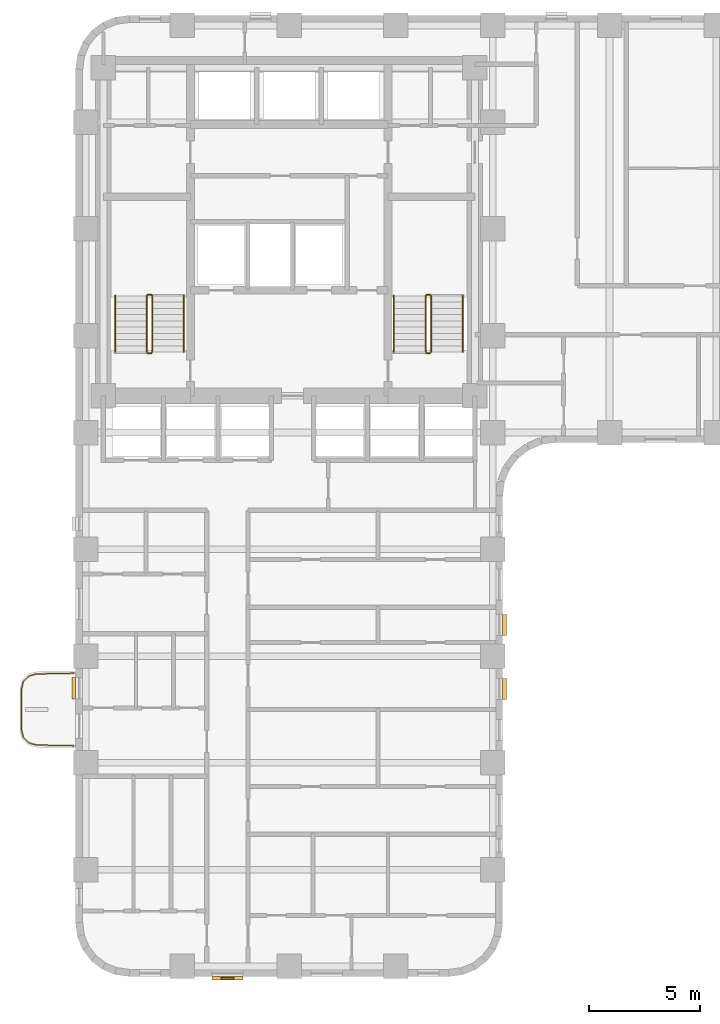
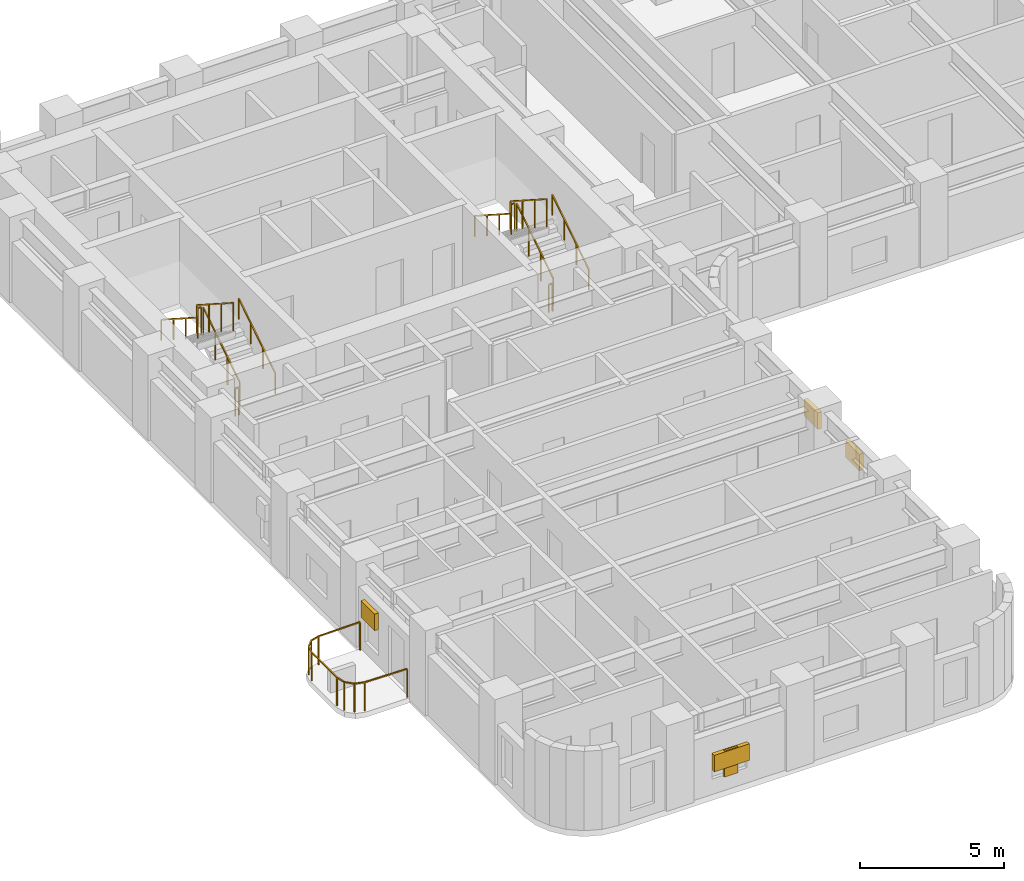
# One storey, part 9 of 12: 13 railings, 5 shading devices.
"""IFC4 building model written with IfcOpenShell, lengths in metres."""

from ifc_helpers import new_model, si_unit, direction, frame, origin, origin_2d, place, context, subcontext, project, spatial, rectangle, extrude, material, type_object, element, save


model = new_model("IFC4")

# Units and contexts
model_context = context("Model", 3, precision=1e-05, world=origin(), true_north=direction((0.0, 1.0)))
body_context = subcontext(model_context, "Body", "Model", "MODEL_VIEW")
ifc_project = project(units=[si_unit("LENGTHUNIT", "METRE"), si_unit("AREAUNIT", "SQUARE_METRE"), si_unit("VOLUMEUNIT", "CUBIC_METRE"), si_unit("PLANEANGLEUNIT", "RADIAN"), si_unit("MASSUNIT", "GRAM", prefix="KILO")], contexts=[model_context])

# Site, building, storey
site_placement = place(None, origin())
site = spatial("IfcSite", under=ifc_project, at=site_placement, CompositionType="ELEMENT")
building_placement = place(site_placement, origin())
building = spatial("IfcBuilding", under=site, at=building_placement, Name="Orvandelia Arch Residences", CompositionType="ELEMENT")
storey_placement = place(building_placement, frame((0.0, 0.0, 43.0)))
storey = spatial("IfcBuildingStorey", under=building, at=storey_placement, Name="L10", CompositionType="ELEMENT", Elevation=43.0)

# Railings
ifc_material_1 = material(Name="Marine-Grade Stainless Steel 316", Category="steel")
railing_type_1 = type_object("IfcRailingType", Name="GRD-BAL-1200", PredefinedType="BALUSTRADE", material=ifc_material_1)
railing_1_placement = place(storey_placement, frame((4.728271484375, 18.430419921875, 0.0)))
element("IfcRailing", 1, at=railing_1_placement, inside=storey, type_object=railing_type_1, Name="Safety Balustrade Guard GRD-L10-BAL-L10-W1-1", PredefinedType="BALUSTRADE", context=body_context, shape_type="SweptSolid", body=[
    extrude(rectangle(XDim=0.048095703125, YDim=0.048095703125, at=origin_2d()), frame((0.0, 0.0, 1.19580078125), z_axis=(-0.999834751713, -0.018178813668, 0.0), x_axis=(0.018178813668, -0.999834751713, 0.0)), (0.0, 0.0, 1.0), 1.6787109375),
    extrude(rectangle(XDim=0.048095703125, YDim=0.048095703125, at=origin_2d()), frame((-1.678466796875, -0.030517578125, 1.19580078125), z_axis=(-0.96348920644, -0.267747173792, 0.0), x_axis=(0.267747173792, -0.96348920644, 0.0)), (0.0, 0.0, 1.0), 0.36572265625),
    extrude(rectangle(XDim=0.048095703125, YDim=0.048095703125, at=origin_2d()), frame((-2.03076171875, -0.12841796875, 1.19580078125), z_axis=(-0.688627404251, -0.725115368831, 0.0), x_axis=(0.725115368831, -0.688627404251, 0.0)), (0.0, 0.0, 1.0), 0.367919921875),
    extrude(rectangle(XDim=0.048095703125, YDim=0.048095703125, at=origin_2d()), frame((-2.2841796875, -0.395263671875, 1.19580078125), z_axis=(-0.220602419982, -0.975363815352, 0.0), x_axis=(0.975363815352, -0.220602419982, 0.0)), (0.0, 0.0, 1.0), 0.373046875),
    extrude(rectangle(XDim=0.048095703125, YDim=0.048095703125, at=origin_2d()), frame((-2.366455078125, -0.759033203125, 1.19580078125), z_axis=(0.0, -1.0, 0.0), x_axis=(1.0, 0.0, 0.0)), (0.0, 0.0, 1.0), 1.74267578125),
    extrude(rectangle(XDim=0.048095703125, YDim=0.048095703125, at=origin_2d()), frame((-2.366455078125, -2.501708984375, 1.19580078125), z_axis=(0.220602419982, -0.975363815352, 0.0), x_axis=(0.975363815352, 0.220602419982, 0.0)), (0.0, 0.0, 1.0), 0.373046875),
    extrude(rectangle(XDim=0.048095703125, YDim=0.048095703125, at=origin_2d()), frame((-2.2841796875, -2.865478515625, 1.19580078125), z_axis=(0.688296224633, -0.725429739642, 0.0), x_axis=(0.725429739642, 0.688296224633, 0.0)), (0.0, 0.0, 1.0), 0.3681640625),
    extrude(rectangle(XDim=0.048095703125, YDim=0.048095703125, at=origin_2d()), frame((-2.03076171875, -3.132568359375, 1.19580078125), z_axis=(0.96348920644, -0.267747173792, 0.0), x_axis=(0.267747173792, 0.96348920644, 0.0)), (0.0, 0.0, 1.0), 0.36572265625),
    extrude(rectangle(XDim=0.048095703125, YDim=0.048095703125, at=origin_2d()), frame((-1.678466796875, -3.23046875, 1.19580078125), z_axis=(0.999837384468, -0.018033430643, 0.0), x_axis=(0.018033430643, 0.999837384468, 0.0)), (0.0, 0.0, 1.0), 1.6787109375),
    extrude(rectangle(XDim=0.0419921875, YDim=0.0419921875, at=origin_2d()), origin(), (0.0, 0.0, 1.0), 1.171875),
    extrude(rectangle(XDim=0.0419921875, YDim=0.0419921875, at=origin_2d()), frame((-1.678466796875, -0.030517578125, 0.0)), (0.0, 0.0, 1.0), 1.171875),
    extrude(rectangle(XDim=0.0419921875, YDim=0.0419921875, at=origin_2d()), frame((-2.03076171875, -0.12841796875, 0.0)), (0.0, 0.0, 1.0), 1.171875),
    extrude(rectangle(XDim=0.0419921875, YDim=0.0419921875, at=origin_2d()), frame((-2.2841796875, -0.395263671875, 0.0)), (0.0, 0.0, 1.0), 1.171875),
    extrude(rectangle(XDim=0.0419921875, YDim=0.0419921875, at=origin_2d()), frame((-2.366455078125, -0.759033203125, 0.0)), (0.0, 0.0, 1.0), 1.171875),
    extrude(rectangle(XDim=0.0419921875, YDim=0.0419921875, at=origin_2d()), frame((-2.366455078125, -2.501708984375, 0.0)), (0.0, 0.0, 1.0), 1.171875),
    extrude(rectangle(XDim=0.0419921875, YDim=0.0419921875, at=origin_2d()), frame((-2.2841796875, -2.865478515625, 0.0)), (0.0, 0.0, 1.0), 1.171875),
    extrude(rectangle(XDim=0.0419921875, YDim=0.0419921875, at=origin_2d()), frame((-2.03076171875, -3.132568359375, 0.0)), (0.0, 0.0, 1.0), 1.171875),
    extrude(rectangle(XDim=0.0419921875, YDim=0.0419921875, at=origin_2d()), frame((-1.678466796875, -3.23046875, 0.0)), (0.0, 0.0, 1.0), 1.171875),
    extrude(rectangle(XDim=0.0419921875, YDim=0.0419921875, at=origin_2d()), frame((0.0, -3.2607421875, 0.0)), (0.0, 0.0, 1.0), 1.171875),
])
ifc_material_2 = material(Name="Brushed Stainless Steel 304", Category="steel")
railing_type_2 = type_object("IfcRailingType", Name="RL-STAIR-GD1120", PredefinedType="GUARDRAIL", material=ifc_material_2)
railing_2_placement = place(storey_placement, frame((8.25, 32.8701171875, 0.179931640625)))
element("IfcRailing", 2, at=railing_2_placement, inside=storey, type_object=railing_type_2, Name="L10 ST-1 stair guard 1", PredefinedType="GUARDRAIL", context=body_context, shape_type="SweptSolid", body=[
    extrude(rectangle(XDim=0.048095703125, YDim=0.048095703125, at=origin_2d()), frame((0.0, 0.0, 1.17578125), z_axis=(0.0, 0.841138753965, 0.540819375188), x_axis=(-1.0, 0.0, 0.0)), (0.0, 0.0, 1.0), 2.99560546875),
    extrude(rectangle(XDim=0.0419921875, YDim=0.0419921875, at=origin_2d()), origin(), (0.0, 0.0, 1.0), 1.15185546875),
    extrude(rectangle(XDim=0.0419921875, YDim=0.0419921875, at=origin_2d()), frame((0.0, 0.83984375, 0.5400390625)), (0.0, 0.0, 1.0), 1.15185546875),
    extrude(rectangle(XDim=0.0419921875, YDim=0.0419921875, at=origin_2d()), frame((0.0, 1.679931640625, 1.080078125)), (0.0, 0.0, 1.0), 1.15185546875),
    extrude(rectangle(XDim=0.0419921875, YDim=0.0419921875, at=origin_2d()), frame((0.0, 2.519775390625, 1.6201171875)), (0.0, 0.0, 1.0), 1.15185546875),
])
railing_3_placement = place(storey_placement, frame((8.199951171875, 35.43994140625, 1.800048828125)))
element("IfcRailing", 3, at=railing_3_placement, inside=storey, type_object=railing_type_2, Name="L10 ST-1 stair guard 2", PredefinedType="GUARDRAIL", context=body_context, shape_type="SweptSolid", body=[
    extrude(rectangle(XDim=0.048095703125, YDim=0.048095703125, at=origin_2d()), frame((0.0, 0.0, 1.17578125), z_axis=(-1.0, 0.0, 0.0), x_axis=(0.0, -1.0, 0.0)), (0.0, 0.0, 1.0), 0.14990234375),
    extrude(rectangle(XDim=0.0419921875, YDim=0.0419921875, at=origin_2d()), origin(), (0.0, 0.0, 1.0), 1.15185546875),
    extrude(rectangle(XDim=0.0419921875, YDim=0.0419921875, at=origin_2d()), frame((-0.14990234375, 0.0, 0.0)), (0.0, 0.0, 1.0), 1.15185546875),
])
railing_4_placement = place(storey_placement, frame((8.0, 35.389892578125, 1.97998046875)))
element("IfcRailing", 4, at=railing_4_placement, inside=storey, type_object=railing_type_2, Name="L10 ST-1 stair guard 3", PredefinedType="GUARDRAIL", context=body_context, shape_type="SweptSolid", body=[
    extrude(rectangle(XDim=0.048095703125, YDim=0.048095703125, at=origin_2d()), frame((0.0, 0.0, 1.17578125), z_axis=(0.0, -0.841138753965, 0.540819375188), x_axis=(1.0, 0.0, 0.0)), (0.0, 0.0, 1.0), 2.99560546875),
    extrude(rectangle(XDim=0.0419921875, YDim=0.0419921875, at=origin_2d()), origin(), (0.0, 0.0, 1.0), 1.15185546875),
    extrude(rectangle(XDim=0.0419921875, YDim=0.0419921875, at=origin_2d()), frame((0.0, -0.83984375, 0.5400390625)), (0.0, 0.0, 1.0), 1.15185546875),
    extrude(rectangle(XDim=0.0419921875, YDim=0.0419921875, at=origin_2d()), frame((0.0, -1.679931640625, 1.080078125)), (0.0, 0.0, 1.0), 1.15185546875),
    extrude(rectangle(XDim=0.0419921875, YDim=0.0419921875, at=origin_2d()), frame((0.0, -2.519775390625, 1.6201171875)), (0.0, 0.0, 1.0), 1.15185546875),
])
railing_5_placement = place(storey_placement, frame((8.199951171875, 32.820068359375, 0.0)))
element("IfcRailing", 5, at=railing_5_placement, inside=storey, type_object=railing_type_2, Name="L10 ST-1 stair guard 4", PredefinedType="GUARDRAIL", context=body_context, shape_type="SweptSolid", body=[
    extrude(rectangle(XDim=0.048095703125, YDim=0.048095703125, at=origin_2d()), frame((0.0, 0.0, 1.17578125), z_axis=(-1.0, 0.0, 0.0), x_axis=(0.0, -1.0, 0.0)), (0.0, 0.0, 1.0), 0.14990234375),
    extrude(rectangle(XDim=0.0419921875, YDim=0.0419921875, at=origin_2d()), origin(), (0.0, 0.0, 1.0), 1.15185546875),
    extrude(rectangle(XDim=0.0419921875, YDim=0.0419921875, at=origin_2d()), frame((-0.14990234375, 0.0, 0.0)), (0.0, 0.0, 1.0), 1.15185546875),
])
railing_6_placement = place(storey_placement, frame((20.780029296875, 32.8701171875, 0.179931640625)))
element("IfcRailing", 6, at=railing_6_placement, inside=storey, type_object=railing_type_2, Name="L10 ST-2 stair guard 1", PredefinedType="GUARDRAIL", context=body_context, shape_type="SweptSolid", body=[
    extrude(rectangle(XDim=0.048095703125, YDim=0.048095703125, at=origin_2d()), frame((0.0, 0.0, 1.17578125), z_axis=(0.0, 0.841138753965, 0.540819375188), x_axis=(-1.0, 0.0, 0.0)), (0.0, 0.0, 1.0), 2.99560546875),
    extrude(rectangle(XDim=0.0419921875, YDim=0.0419921875, at=origin_2d()), origin(), (0.0, 0.0, 1.0), 1.15185546875),
    extrude(rectangle(XDim=0.0419921875, YDim=0.0419921875, at=origin_2d()), frame((0.0, 0.83984375, 0.5400390625)), (0.0, 0.0, 1.0), 1.15185546875),
    extrude(rectangle(XDim=0.0419921875, YDim=0.0419921875, at=origin_2d()), frame((0.0, 1.679931640625, 1.080078125)), (0.0, 0.0, 1.0), 1.15185546875),
    extrude(rectangle(XDim=0.0419921875, YDim=0.0419921875, at=origin_2d()), frame((0.0, 2.519775390625, 1.6201171875)), (0.0, 0.0, 1.0), 1.15185546875),
])
railing_7_placement = place(storey_placement, frame((20.72998046875, 35.43994140625, 1.800048828125)))
element("IfcRailing", 7, at=railing_7_placement, inside=storey, type_object=railing_type_2, Name="L10 ST-2 stair guard 2", PredefinedType="GUARDRAIL", context=body_context, shape_type="SweptSolid", body=[
    extrude(rectangle(XDim=0.048095703125, YDim=0.048095703125, at=origin_2d()), frame((0.0, 0.0, 1.17578125), z_axis=(-1.0, 0.0, 0.0), x_axis=(0.0, -1.0, 0.0)), (0.0, 0.0, 1.0), 0.14990234375),
    extrude(rectangle(XDim=0.0419921875, YDim=0.0419921875, at=origin_2d()), origin(), (0.0, 0.0, 1.0), 1.15185546875),
    extrude(rectangle(XDim=0.0419921875, YDim=0.0419921875, at=origin_2d()), frame((-0.14990234375, 0.0, 0.0)), (0.0, 0.0, 1.0), 1.15185546875),
])
railing_8_placement = place(storey_placement, frame((20.530029296875, 35.389892578125, 1.97998046875)))
element("IfcRailing", 8, at=railing_8_placement, inside=storey, type_object=railing_type_2, Name="L10 ST-2 stair guard 3", PredefinedType="GUARDRAIL", context=body_context, shape_type="SweptSolid", body=[
    extrude(rectangle(XDim=0.048095703125, YDim=0.048095703125, at=origin_2d()), frame((0.0, 0.0, 1.17578125), z_axis=(0.0, -0.841138753965, 0.540819375188), x_axis=(1.0, 0.0, 0.0)), (0.0, 0.0, 1.0), 2.99560546875),
    extrude(rectangle(XDim=0.0419921875, YDim=0.0419921875, at=origin_2d()), origin(), (0.0, 0.0, 1.0), 1.15185546875),
    extrude(rectangle(XDim=0.0419921875, YDim=0.0419921875, at=origin_2d()), frame((0.0, -0.83984375, 0.5400390625)), (0.0, 0.0, 1.0), 1.15185546875),
    extrude(rectangle(XDim=0.0419921875, YDim=0.0419921875, at=origin_2d()), frame((0.0, -1.679931640625, 1.080078125)), (0.0, 0.0, 1.0), 1.15185546875),
    extrude(rectangle(XDim=0.0419921875, YDim=0.0419921875, at=origin_2d()), frame((0.0, -2.519775390625, 1.6201171875)), (0.0, 0.0, 1.0), 1.15185546875),
])
railing_9_placement = place(storey_placement, frame((20.72998046875, 32.820068359375, 0.0)))
element("IfcRailing", 9, at=railing_9_placement, inside=storey, type_object=railing_type_2, Name="L10 ST-2 stair guard 4", PredefinedType="GUARDRAIL", context=body_context, shape_type="SweptSolid", body=[
    extrude(rectangle(XDim=0.048095703125, YDim=0.048095703125, at=origin_2d()), frame((0.0, 0.0, 1.17578125), z_axis=(-1.0, 0.0, 0.0), x_axis=(0.0, -1.0, 0.0)), (0.0, 0.0, 1.0), 0.14990234375),
    extrude(rectangle(XDim=0.0419921875, YDim=0.0419921875, at=origin_2d()), origin(), (0.0, 0.0, 1.0), 1.15185546875),
    extrude(rectangle(XDim=0.0419921875, YDim=0.0419921875, at=origin_2d()), frame((-0.14990234375, 0.0, 0.0)), (0.0, 0.0, 1.0), 1.15185546875),
])
railing_type_3 = type_object("IfcRailingType", Name="RL-STAIR-HR920", PredefinedType="HANDRAIL", material=ifc_material_2)
railing_10_placement = place(storey_placement, frame((9.669921875, 32.8701171875, 0.360107421875)))
element("IfcRailing", 10, at=railing_10_placement, inside=storey, type_object=railing_type_3, Name="L10 ST-1 stair handrail 1", PredefinedType="HANDRAIL", context=body_context, shape_type="SweptSolid", body=[
    extrude(rectangle(XDim=0.048095703125, YDim=0.048095703125, at=origin_2d()), frame((0.0, 0.0, 0.8759765625), z_axis=(0.0, 0.841175827307, 0.540761710511), x_axis=(-1.0, 0.0, 0.0)), (0.0, 0.0, 1.0), 2.99560546875),
    extrude(rectangle(XDim=0.0419921875, YDim=0.0419921875, at=origin_2d()), origin(), (0.0, 0.0, 1.0), 0.851806640625),
    extrude(rectangle(XDim=0.0419921875, YDim=0.0419921875, at=origin_2d()), frame((0.0, 0.83984375, 0.5400390625)), (0.0, 0.0, 1.0), 0.851806640625),
    extrude(rectangle(XDim=0.0419921875, YDim=0.0419921875, at=origin_2d()), frame((0.0, 1.679931640625, 1.079833984375)), (0.0, 0.0, 1.0), 0.851806640625),
    extrude(rectangle(XDim=0.0419921875, YDim=0.0419921875, at=origin_2d()), frame((0.0, 2.519775390625, 1.619873046875)), (0.0, 0.0, 1.0), 0.851806640625),
])
railing_11_placement = place(storey_placement, frame((6.580078125, 35.389892578125, 2.159912109375)))
element("IfcRailing", 11, at=railing_11_placement, inside=storey, type_object=railing_type_3, Name="L10 ST-1 stair handrail 2", PredefinedType="HANDRAIL", context=body_context, shape_type="SweptSolid", body=[
    extrude(rectangle(XDim=0.048095703125, YDim=0.048095703125, at=origin_2d()), frame((0.0, 0.0, 0.8759765625), z_axis=(0.0, -0.841138753965, 0.540819375188), x_axis=(1.0, 0.0, 0.0)), (0.0, 0.0, 1.0), 2.99560546875),
    extrude(rectangle(XDim=0.0419921875, YDim=0.0419921875, at=origin_2d()), origin(), (0.0, 0.0, 1.0), 0.851806640625),
    extrude(rectangle(XDim=0.0419921875, YDim=0.0419921875, at=origin_2d()), frame((0.0, -0.83984375, 0.5400390625)), (0.0, 0.0, 1.0), 0.851806640625),
    extrude(rectangle(XDim=0.0419921875, YDim=0.0419921875, at=origin_2d()), frame((0.0, -1.679931640625, 1.080078125)), (0.0, 0.0, 1.0), 0.851806640625),
    extrude(rectangle(XDim=0.0419921875, YDim=0.0419921875, at=origin_2d()), frame((0.0, -2.519775390625, 1.6201171875)), (0.0, 0.0, 1.0), 0.851806640625),
])
railing_12_placement = place(storey_placement, frame((22.199951171875, 32.8701171875, 0.360107421875)))
element("IfcRailing", 12, at=railing_12_placement, inside=storey, type_object=railing_type_3, Name="L10 ST-2 stair handrail 1", PredefinedType="HANDRAIL", context=body_context, shape_type="SweptSolid", body=[
    extrude(rectangle(XDim=0.048095703125, YDim=0.048095703125, at=origin_2d()), frame((0.0, 0.0, 0.8759765625), z_axis=(0.0, 0.841175827307, 0.540761710511), x_axis=(-1.0, 0.0, 0.0)), (0.0, 0.0, 1.0), 2.99560546875),
    extrude(rectangle(XDim=0.0419921875, YDim=0.0419921875, at=origin_2d()), origin(), (0.0, 0.0, 1.0), 0.851806640625),
    extrude(rectangle(XDim=0.0419921875, YDim=0.0419921875, at=origin_2d()), frame((0.0, 0.83984375, 0.5400390625)), (0.0, 0.0, 1.0), 0.851806640625),
    extrude(rectangle(XDim=0.0419921875, YDim=0.0419921875, at=origin_2d()), frame((0.0, 1.679931640625, 1.079833984375)), (0.0, 0.0, 1.0), 0.851806640625),
    extrude(rectangle(XDim=0.0419921875, YDim=0.0419921875, at=origin_2d()), frame((0.0, 2.519775390625, 1.619873046875)), (0.0, 0.0, 1.0), 0.851806640625),
])
railing_13_placement = place(storey_placement, frame((19.110107421875, 35.389892578125, 2.159912109375)))
element("IfcRailing", 13, at=railing_13_placement, inside=storey, type_object=railing_type_3, Name="L10 ST-2 stair handrail 2", PredefinedType="HANDRAIL", context=body_context, shape_type="SweptSolid", body=[
    extrude(rectangle(XDim=0.048095703125, YDim=0.048095703125, at=origin_2d()), frame((0.0, 0.0, 0.8759765625), z_axis=(0.0, -0.841138753965, 0.540819375188), x_axis=(1.0, 0.0, 0.0)), (0.0, 0.0, 1.0), 2.99560546875),
    extrude(rectangle(XDim=0.0419921875, YDim=0.0419921875, at=origin_2d()), origin(), (0.0, 0.0, 1.0), 0.851806640625),
    extrude(rectangle(XDim=0.0419921875, YDim=0.0419921875, at=origin_2d()), frame((0.0, -0.83984375, 0.5400390625)), (0.0, 0.0, 1.0), 0.851806640625),
    extrude(rectangle(XDim=0.0419921875, YDim=0.0419921875, at=origin_2d()), frame((0.0, -1.679931640625, 1.080078125)), (0.0, 0.0, 1.0), 0.851806640625),
    extrude(rectangle(XDim=0.0419921875, YDim=0.0419921875, at=origin_2d()), frame((0.0, -2.519775390625, 1.6201171875)), (0.0, 0.0, 1.0), 0.851806640625),
])

# Shading devices
ifc_material_3 = material(Name="Anodised Champagne-Bronze Extruded Aluminium", Category="aluminium")
shading_device_type_1 = type_object("IfcShadingDeviceType", Name="SHD-JALOUSIE-SCREEN", PredefinedType="JALOUSIE", material=ifc_material_3)
for number, where, z_axis, x_axis, name in (
    (14, (24.080078125, 17.715087890625, 1.5498046875), (0.0, 0.0, 1.0), (0.0, -1.0, 0.0), "Bronze Jalousie Sun-Shade L10-007"),
    (15, (24.080078125, 20.60498046875, 1.5498046875), (0.0, 0.0, 1.0), (0.0, -1.0, 0.0), "Bronze Jalousie Sun-Shade L10-008"),
):
    element("IfcShadingDevice", number, at=place(storey_placement, frame(where, z_axis=z_axis, x_axis=x_axis)), inside=storey, type_object=shading_device_type_1, Name=name, PredefinedType="JALOUSIE", context=body_context, shape_type="SweptSolid", body=[
        extrude(rectangle(XDim=0.949951171875, YDim=0.159912109375, at=origin_2d()), origin(), (0.0, 0.0, 1.0), 0.699951171875),
    ])
shading_device_1_placement = place(storey_placement, frame((11.625, 4.719970703125, 1.0498046875), z_axis=(0.0, 0.0, 1.0), x_axis=(-1.0, 0.0, 0.0)))
element("IfcShadingDevice", 16, at=shading_device_1_placement, inside=storey, type_object=shading_device_type_1, Name="Bronze Jalousie Sun-Shade L10-009", PredefinedType="JALOUSIE", context=body_context, shape_type="SweptSolid", body=[
    extrude(rectangle(XDim=1.39990234375, YDim=0.159912109375, at=origin_2d()), origin(), (0.0, 0.0, 1.0), 0.699951171875),
])
shading_device_2_placement = place(storey_placement, frame((4.719970703125, 17.751953125, 1.5498046875), z_axis=(0.0, 0.0, 1.0), x_axis=(0.0, 1.0, 0.0)))
element("IfcShadingDevice", 17, at=shading_device_2_placement, inside=storey, type_object=shading_device_type_1, Name="Bronze Jalousie Sun-Shade L10-010", PredefinedType="JALOUSIE", context=body_context, shape_type="SweptSolid", body=[
    extrude(rectangle(XDim=0.949951171875, YDim=0.159912109375, at=origin_2d()), origin(), (0.0, 0.0, 1.0), 0.699951171875),
])
ifc_material_4 = material(Name="Marine-Grade Perforated Aluminium Storm Shutter", Category="aluminium")
shading_device_type_2 = type_object("IfcShadingDeviceType", Name="SHD-STORM-SHUTTER", PredefinedType="SHUTTER", material=ifc_material_4)
shading_device_3_placement = place(storey_placement, frame((11.625, 4.719970703125, 0.64990234375), z_axis=(0.0, 0.0, 1.0), x_axis=(-1.0, 0.0, 0.0)))
element("IfcShadingDevice", 18, at=shading_device_3_placement, inside=storey, type_object=shading_device_type_2, Name="Operable Typhoon Storm Shutter L10-009", PredefinedType="SHUTTER", context=body_context, shape_type="SweptSolid", body=[
    extrude(rectangle(XDim=0.550048828125, YDim=0.080078125, at=origin_2d()), origin(), (0.0, 0.0, 1.0), 1.10009765625),
])

save(model, "model.ifc")
